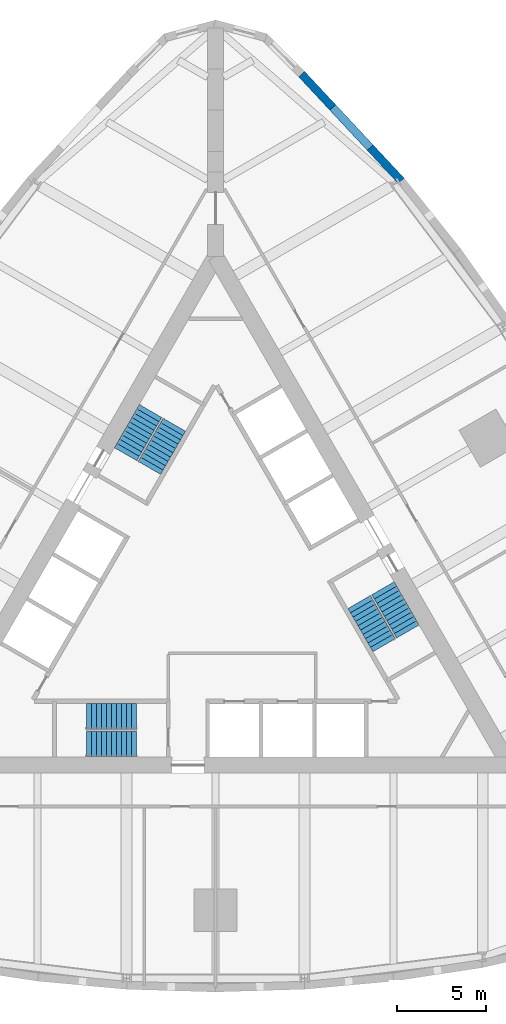
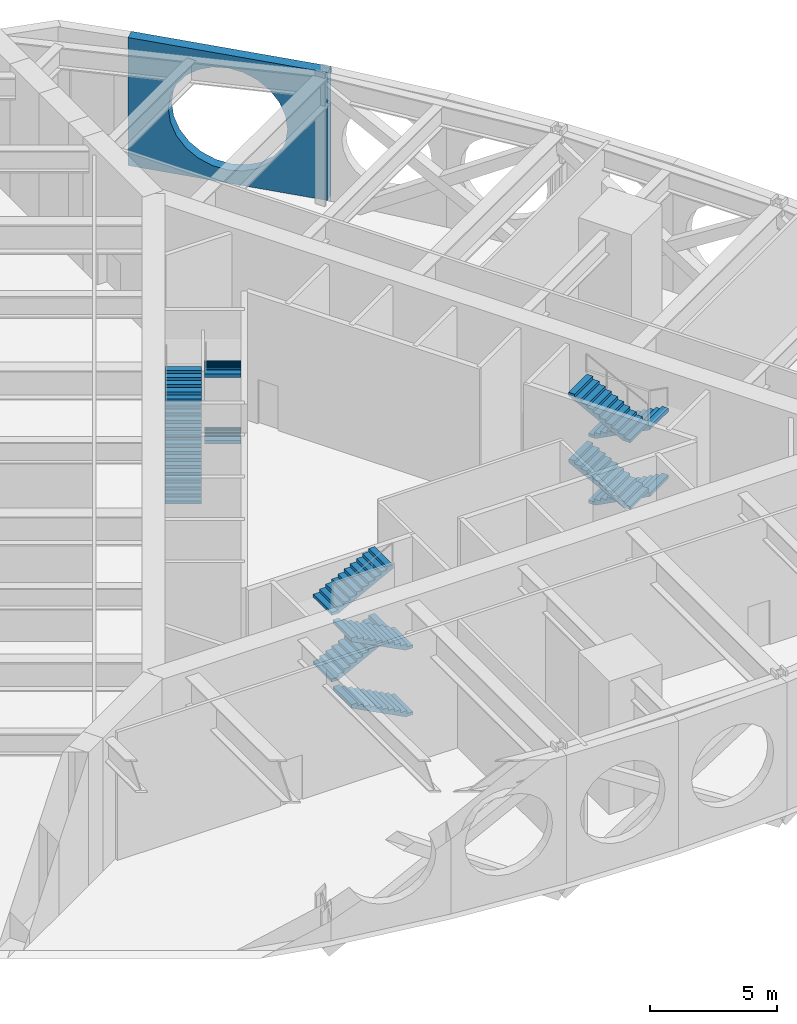
# One storey, part 6 of 7: 12 stair flights, 1 wall, 3 elements without a shape of their own.
"""IFC4 building model written with IfcOpenShell, lengths in metres."""

from ifc_helpers import new_model, si_unit, direction, frame, origin, place, context, subcontext, project, spatial, polyline, outline, extrude, material, layer, layer_set, type_object, element, aggregate, save


model = new_model("IFC4")

# Units and contexts
model_context = context("Model", 3, precision=1e-05, world=origin(), true_north=direction((0.0, 1.0)))
body_context = subcontext(model_context, "Body", "Model", "MODEL_VIEW")
ifc_project = project(units=[si_unit("LENGTHUNIT", "METRE"), si_unit("AREAUNIT", "SQUARE_METRE"), si_unit("VOLUMEUNIT", "CUBIC_METRE"), si_unit("PLANEANGLEUNIT", "RADIAN"), si_unit("MASSUNIT", "GRAM", prefix="KILO")], contexts=[model_context])

# Site, building, storey
site_placement = place(None, origin())
site = spatial("IfcSite", under=ifc_project, at=site_placement, CompositionType="ELEMENT")
building_placement = place(site_placement, origin())
building = spatial("IfcBuilding", under=site, at=building_placement, Name="Trikona Tower", CompositionType="ELEMENT")
storey_placement = place(building_placement, frame((0.0, 0.0, 103.300048828125)))
storey = spatial("IfcBuildingStorey", under=building, at=storey_placement, Name="L27", CompositionType="ELEMENT", Elevation=103.300048828125)

# Wall
ifc_material_1 = material(Name="Brick-faced precast concrete with louvred openings", Category="masonry")
ifc_layer = layer(ifc_material_1, 0.449951171875)
ifc_layer_set = layer_set([ifc_layer], Name="Brick-faced plant wall 450")
wall_type = type_object("IfcWallType", Name="Brick-faced plant wall 450", PredefinedType="SOLIDWALL", material=ifc_layer_set)
wall_placement = place(storey_placement, frame((10.43798828125, 23.288330078125, 0.0), z_axis=(0.0, 0.0, 1.0), x_axis=(-0.682290707137, 0.73108097428, 0.0)))
element("IfcWall", 1, at=wall_placement, inside=storey, type_object=wall_type, Name="External wall L27-19", PredefinedType="SOLIDWALL", context=body_context, shape_type="SweptSolid", body=[
    extrude(outline(polyline([(0.0, 0.0), (8.21142578125, 0.0), (8.21142578125, 6.14990234375), (0.0, 6.14990234375), (0.0, 0.0)]), holes=[polyline([(6.5556640625, 3.074951171875), (6.47216796875, 3.708984375), (6.227294921875, 4.300048828125), (5.837890625, 4.807373046875), (5.33056640625, 5.19677734375), (4.73974609375, 5.44140625), (4.105712890625, 5.52490234375), (3.471435546875, 5.44140625), (2.880615234375, 5.19677734375), (2.373291015625, 4.807373046875), (1.98388671875, 4.300048828125), (1.739013671875, 3.708984375), (1.655517578125, 3.074951171875), (1.739013671875, 2.44091796875), (1.98388671875, 1.849853515625), (2.373291015625, 1.342529296875), (2.880615234375, 0.953125), (3.471435546875, 0.70849609375), (4.105712890625, 0.625), (4.73974609375, 0.70849609375), (5.33056640625, 0.953125), (5.837890625, 1.342529296875), (6.227294921875, 1.849853515625), (6.47216796875, 2.44091796875), (6.5556640625, 3.074951171875)])]), frame((0.0, 0.22509765625, 0.0), z_axis=(0.0, -1.0, 0.0), x_axis=(1.0, 0.0, 0.0)), (0.0, 0.0, 1.0), 0.449951171875),
])

# Stair, stair flights
ifc_material_2 = material(Name="Concrete f'c 5000 psi", Category="concrete")
stair_type = type_object("IfcStairType", Name="Core stair", PredefinedType="HALF_TURN_STAIR", material=ifc_material_2)
stair_1_placement = place(storey_placement, origin())
stair_1 = element("IfcStair", 2, at=stair_1_placement, inside=storey, type_object=stair_type, Name="Stair A L27", PredefinedType="HALF_TURN_STAIR")
ifc_material_3 = material(Name="Concrete f'c 5000 psi", Category="concrete")
stair_flight_type = type_object("IfcStairFlightType", Name="Core stair flight 1450", PredefinedType="STRAIGHT", material=ifc_material_3)
stair_flight_1_placement = place(storey_placement, frame((-4.449951171875, -8.351318359375, 0.0), z_axis=(0.0, 0.0, 1.0), x_axis=(-1.0, 0.0, 0.0)))
stair_flight_1 = element("IfcStairFlight", 3, at=stair_flight_1_placement, type_object=stair_flight_type, Name="ST-A flight 1", NumberOfRisers=11, NumberOfTreads=10, PredefinedType="STRAIGHT", RiserHeight=0.145455, TreadLength=0.28, context=body_context, shape_type="SweptSolid", body=[
    extrude(outline(polyline([(0.0, 0.0), (0.0, 0.1455078125), (0.280029296875, 0.1455078125), (0.280029296875, 0.291015625), (0.56005859375, 0.291015625), (0.56005859375, 0.436279296875), (0.840087890625, 0.436279296875), (0.840087890625, 0.581787109375), (1.1201171875, 0.581787109375), (1.1201171875, 0.727294921875), (1.39990234375, 0.727294921875), (1.39990234375, 0.872802734375), (1.679931640625, 0.872802734375), (1.679931640625, 1.01806640625), (1.9599609375, 1.01806640625), (1.9599609375, 1.16357421875), (2.239990234375, 1.16357421875), (2.239990234375, 1.30908203125), (2.52001953125, 1.30908203125), (2.52001953125, 1.45458984375), (2.800048828125, 1.45458984375), (2.800048828125, 1.60009765625), (2.800048828125, 1.28564453125), (0.3251953125, 0.0), (0.0, 0.0)])), frame((0.0, 0.72509765625, 0.0), z_axis=(0.0, -1.0, 0.0), x_axis=(1.0, 0.0, 0.0)), (0.0, 0.0, 1.0), 1.449951171875),
])
stair_flight_2_placement = place(storey_placement, frame((-7.25, -6.80126953125, 1.599853515625), z_axis=(0.0, 0.0, 1.0), x_axis=(1.0, 0.0, 0.0)))
stair_flight_2 = element("IfcStairFlight", 4, at=stair_flight_2_placement, type_object=stair_flight_type, Name="ST-A flight 2", NumberOfRisers=11, NumberOfTreads=10, PredefinedType="STRAIGHT", RiserHeight=0.145455, TreadLength=0.28, context=body_context, shape_type="SweptSolid", body=[
    extrude(outline(polyline([(0.0, 0.0), (0.0, 0.1455078125), (0.280029296875, 0.1455078125), (0.280029296875, 0.291015625), (0.56005859375, 0.291015625), (0.56005859375, 0.436279296875), (0.840087890625, 0.436279296875), (0.840087890625, 0.581787109375), (1.1201171875, 0.581787109375), (1.1201171875, 0.727294921875), (1.39990234375, 0.727294921875), (1.39990234375, 0.872802734375), (1.679931640625, 0.872802734375), (1.679931640625, 1.01806640625), (1.9599609375, 1.01806640625), (1.9599609375, 1.16357421875), (2.239990234375, 1.16357421875), (2.239990234375, 1.30908203125), (2.52001953125, 1.30908203125), (2.52001953125, 1.45458984375), (2.800048828125, 1.45458984375), (2.800048828125, 1.60009765625), (2.800048828125, 1.28564453125), (0.3251953125, 0.0), (0.0, 0.0)])), frame((0.0, 0.72509765625, 0.0), z_axis=(0.0, -1.0, 0.0), x_axis=(1.0, 0.0, 0.0)), (0.0, 0.0, 1.0), 1.449951171875),
])
stair_flight_3_placement = place(storey_placement, frame((-4.449951171875, -8.351318359375, 3.199951171875), z_axis=(0.0, 0.0, 1.0), x_axis=(-1.0, 0.0, 0.0)))
stair_flight_3 = element("IfcStairFlight", 5, at=stair_flight_3_placement, type_object=stair_flight_type, Name="ST-A flight 3", NumberOfRisers=11, NumberOfTreads=10, PredefinedType="STRAIGHT", RiserHeight=0.145455, TreadLength=0.28, context=body_context, shape_type="SweptSolid", body=[
    extrude(outline(polyline([(0.0, 0.0), (0.0, 0.1455078125), (0.280029296875, 0.1455078125), (0.280029296875, 0.291015625), (0.56005859375, 0.291015625), (0.56005859375, 0.436279296875), (0.840087890625, 0.436279296875), (0.840087890625, 0.581787109375), (1.1201171875, 0.581787109375), (1.1201171875, 0.727294921875), (1.39990234375, 0.727294921875), (1.39990234375, 0.872802734375), (1.679931640625, 0.872802734375), (1.679931640625, 1.01806640625), (1.9599609375, 1.01806640625), (1.9599609375, 1.16357421875), (2.239990234375, 1.16357421875), (2.239990234375, 1.30908203125), (2.52001953125, 1.30908203125), (2.52001953125, 1.45458984375), (2.800048828125, 1.45458984375), (2.800048828125, 1.60009765625), (2.800048828125, 1.28564453125), (0.3251953125, 0.0), (0.0, 0.0)])), frame((0.0, 0.72509765625, 0.0), z_axis=(0.0, -1.0, 0.0), x_axis=(1.0, 0.0, 0.0)), (0.0, 0.0, 1.0), 1.449951171875),
])
stair_flight_4_placement = place(storey_placement, frame((-7.25, -6.80126953125, 4.800048828125), z_axis=(0.0, 0.0, 1.0), x_axis=(1.0, 0.0, 0.0)))
stair_flight_4 = element("IfcStairFlight", 6, at=stair_flight_4_placement, type_object=stair_flight_type, Name="ST-A flight 4", NumberOfRisers=11, NumberOfTreads=10, PredefinedType="STRAIGHT", RiserHeight=0.145455, TreadLength=0.28, context=body_context, shape_type="SweptSolid", body=[
    extrude(outline(polyline([(0.0, 0.0), (0.0, 0.1455078125), (0.280029296875, 0.1455078125), (0.280029296875, 0.291015625), (0.56005859375, 0.291015625), (0.56005859375, 0.436279296875), (0.840087890625, 0.436279296875), (0.840087890625, 0.581787109375), (1.1201171875, 0.581787109375), (1.1201171875, 0.727294921875), (1.39990234375, 0.727294921875), (1.39990234375, 0.872802734375), (1.679931640625, 0.872802734375), (1.679931640625, 1.01806640625), (1.9599609375, 1.01806640625), (1.9599609375, 1.16357421875), (2.239990234375, 1.16357421875), (2.239990234375, 1.30908203125), (2.52001953125, 1.30908203125), (2.52001953125, 1.45458984375), (2.800048828125, 1.45458984375), (2.800048828125, 1.60009765625), (2.800048828125, 1.28564453125), (0.3251953125, 0.0), (0.0, 0.0)])), frame((0.0, 0.72509765625, 0.0), z_axis=(0.0, -1.0, 0.0), x_axis=(1.0, 0.0, 0.0)), (0.0, 0.0, 1.0), 1.449951171875),
])
aggregate(stair_1, [stair_flight_1, stair_flight_2, stair_flight_3, stair_flight_4])

stair_2_placement = place(storey_placement, origin())
stair_2 = element("IfcStair", 7, at=stair_2_placement, inside=storey, type_object=stair_type, Name="Stair B L27", PredefinedType="HALF_TURN_STAIR")
stair_flight_5_placement = place(storey_placement, frame((9.407470703125, 0.408447265625, 0.0), z_axis=(0.0, 0.0, 1.0), x_axis=(0.5, -0.866025403784, 0.0)))
stair_flight_5 = element("IfcStairFlight", 8, at=stair_flight_5_placement, type_object=stair_flight_type, Name="ST-B flight 1", NumberOfRisers=11, NumberOfTreads=10, PredefinedType="STRAIGHT", RiserHeight=0.145455, TreadLength=0.28, context=body_context, shape_type="SweptSolid", body=[
    extrude(outline(polyline([(0.0, 0.0), (0.0, 0.1455078125), (0.280029296875, 0.1455078125), (0.280029296875, 0.291015625), (0.56005859375, 0.291015625), (0.56005859375, 0.436279296875), (0.840087890625, 0.436279296875), (0.840087890625, 0.581787109375), (1.1201171875, 0.581787109375), (1.1201171875, 0.727294921875), (1.39990234375, 0.727294921875), (1.39990234375, 0.872802734375), (1.679931640625, 0.872802734375), (1.679931640625, 1.01806640625), (1.9599609375, 1.01806640625), (1.9599609375, 1.16357421875), (2.239990234375, 1.16357421875), (2.239990234375, 1.30908203125), (2.52001953125, 1.30908203125), (2.52001953125, 1.45458984375), (2.800048828125, 1.45458984375), (2.800048828125, 1.60009765625), (2.800048828125, 1.28564453125), (0.3251953125, 0.0), (0.0, 0.0)])), frame((0.0, 0.72509765625, 0.0), z_axis=(0.0, -1.0, 0.0), x_axis=(1.0, 0.0, 0.0)), (0.0, 0.0, 1.0), 1.449951171875),
])
stair_flight_6_placement = place(storey_placement, frame((9.465087890625, -2.79150390625, 1.599853515625), z_axis=(0.0, 0.0, 1.0), x_axis=(-0.5, 0.866025403784, 0.0)))
stair_flight_6 = element("IfcStairFlight", 9, at=stair_flight_6_placement, type_object=stair_flight_type, Name="ST-B flight 2", NumberOfRisers=11, NumberOfTreads=10, PredefinedType="STRAIGHT", RiserHeight=0.145455, TreadLength=0.28, context=body_context, shape_type="SweptSolid", body=[
    extrude(outline(polyline([(0.0, 0.0), (0.0, 0.1455078125), (0.280029296875, 0.1455078125), (0.280029296875, 0.291015625), (0.56005859375, 0.291015625), (0.56005859375, 0.436279296875), (0.840087890625, 0.436279296875), (0.840087890625, 0.581787109375), (1.1201171875, 0.581787109375), (1.1201171875, 0.727294921875), (1.39990234375, 0.727294921875), (1.39990234375, 0.872802734375), (1.679931640625, 0.872802734375), (1.679931640625, 1.01806640625), (1.9599609375, 1.01806640625), (1.9599609375, 1.16357421875), (2.239990234375, 1.16357421875), (2.239990234375, 1.30908203125), (2.52001953125, 1.30908203125), (2.52001953125, 1.45458984375), (2.800048828125, 1.45458984375), (2.800048828125, 1.60009765625), (2.800048828125, 1.28564453125), (0.3251953125, 0.0), (0.0, 0.0)])), frame((0.0, 0.72509765625, 0.0), z_axis=(0.0, -1.0, 0.0), x_axis=(1.0, 0.0, 0.0)), (0.0, 0.0, 1.0), 1.449951171875),
])
stair_flight_7_placement = place(storey_placement, frame((9.407470703125, 0.408447265625, 3.199951171875), z_axis=(0.0, 0.0, 1.0), x_axis=(0.5, -0.866025403784, 0.0)))
stair_flight_7 = element("IfcStairFlight", 10, at=stair_flight_7_placement, type_object=stair_flight_type, Name="ST-B flight 3", NumberOfRisers=11, NumberOfTreads=10, PredefinedType="STRAIGHT", RiserHeight=0.145455, TreadLength=0.28, context=body_context, shape_type="SweptSolid", body=[
    extrude(outline(polyline([(0.0, 0.0), (0.0, 0.1455078125), (0.280029296875, 0.1455078125), (0.280029296875, 0.291015625), (0.56005859375, 0.291015625), (0.56005859375, 0.436279296875), (0.840087890625, 0.436279296875), (0.840087890625, 0.581787109375), (1.1201171875, 0.581787109375), (1.1201171875, 0.727294921875), (1.39990234375, 0.727294921875), (1.39990234375, 0.872802734375), (1.679931640625, 0.872802734375), (1.679931640625, 1.01806640625), (1.9599609375, 1.01806640625), (1.9599609375, 1.16357421875), (2.239990234375, 1.16357421875), (2.239990234375, 1.30908203125), (2.52001953125, 1.30908203125), (2.52001953125, 1.45458984375), (2.800048828125, 1.45458984375), (2.800048828125, 1.60009765625), (2.800048828125, 1.28564453125), (0.3251953125, 0.0), (0.0, 0.0)])), frame((0.0, 0.72509765625, 0.0), z_axis=(0.0, -1.0, 0.0), x_axis=(1.0, 0.0, 0.0)), (0.0, 0.0, 1.0), 1.449951171875),
])
stair_flight_8_placement = place(storey_placement, frame((9.465087890625, -2.79150390625, 4.800048828125), z_axis=(0.0, 0.0, 1.0), x_axis=(-0.5, 0.866025403784, 0.0)))
stair_flight_8 = element("IfcStairFlight", 11, at=stair_flight_8_placement, type_object=stair_flight_type, Name="ST-B flight 4", NumberOfRisers=11, NumberOfTreads=10, PredefinedType="STRAIGHT", RiserHeight=0.145455, TreadLength=0.28, context=body_context, shape_type="SweptSolid", body=[
    extrude(outline(polyline([(0.0, 0.0), (0.0, 0.1455078125), (0.280029296875, 0.1455078125), (0.280029296875, 0.291015625), (0.56005859375, 0.291015625), (0.56005859375, 0.436279296875), (0.840087890625, 0.436279296875), (0.840087890625, 0.581787109375), (1.1201171875, 0.581787109375), (1.1201171875, 0.727294921875), (1.39990234375, 0.727294921875), (1.39990234375, 0.872802734375), (1.679931640625, 0.872802734375), (1.679931640625, 1.01806640625), (1.9599609375, 1.01806640625), (1.9599609375, 1.16357421875), (2.239990234375, 1.16357421875), (2.239990234375, 1.30908203125), (2.52001953125, 1.30908203125), (2.52001953125, 1.45458984375), (2.800048828125, 1.45458984375), (2.800048828125, 1.60009765625), (2.800048828125, 1.28564453125), (0.3251953125, 0.0), (0.0, 0.0)])), frame((0.0, 0.72509765625, 0.0), z_axis=(0.0, -1.0, 0.0), x_axis=(1.0, 0.0, 0.0)), (0.0, 0.0, 1.0), 1.449951171875),
])
aggregate(stair_2, [stair_flight_5, stair_flight_6, stair_flight_7, stair_flight_8])

stair_3_placement = place(storey_placement, origin())
stair_3 = element("IfcStair", 12, at=stair_3_placement, inside=storey, type_object=stair_type, Name="Stair C L27", PredefinedType="HALF_TURN_STAIR")
stair_flight_9_placement = place(storey_placement, frame((-5.057373046875, 7.94287109375, 0.0), z_axis=(0.0, 0.0, 1.0), x_axis=(0.5, 0.866025403784, 0.0)))
stair_flight_9 = element("IfcStairFlight", 13, at=stair_flight_9_placement, type_object=stair_flight_type, Name="ST-C flight 1", NumberOfRisers=11, NumberOfTreads=10, PredefinedType="STRAIGHT", RiserHeight=0.145455, TreadLength=0.28, context=body_context, shape_type="SweptSolid", body=[
    extrude(outline(polyline([(0.0, 0.0), (0.0, 0.1455078125), (0.280029296875, 0.1455078125), (0.280029296875, 0.291015625), (0.56005859375, 0.291015625), (0.56005859375, 0.436279296875), (0.840087890625, 0.436279296875), (0.840087890625, 0.581787109375), (1.1201171875, 0.581787109375), (1.1201171875, 0.727294921875), (1.39990234375, 0.727294921875), (1.39990234375, 0.872802734375), (1.679931640625, 0.872802734375), (1.679931640625, 1.01806640625), (1.9599609375, 1.01806640625), (1.9599609375, 1.16357421875), (2.239990234375, 1.16357421875), (2.239990234375, 1.30908203125), (2.52001953125, 1.30908203125), (2.52001953125, 1.45458984375), (2.800048828125, 1.45458984375), (2.800048828125, 1.60009765625), (2.800048828125, 1.28564453125), (0.3251953125, 0.0), (0.0, 0.0)])), frame((0.0, 0.72509765625, 0.0), z_axis=(0.0, -1.0, 0.0), x_axis=(1.0, 0.0, 0.0)), (0.0, 0.0, 1.0), 1.449951171875),
])
stair_flight_10_placement = place(storey_placement, frame((-2.315185546875, 9.5927734375, 1.599853515625), z_axis=(0.0, 0.0, 1.0), x_axis=(-0.5, -0.866025403784, 0.0)))
stair_flight_10 = element("IfcStairFlight", 14, at=stair_flight_10_placement, type_object=stair_flight_type, Name="ST-C flight 2", NumberOfRisers=11, NumberOfTreads=10, PredefinedType="STRAIGHT", RiserHeight=0.145455, TreadLength=0.28, context=body_context, shape_type="SweptSolid", body=[
    extrude(outline(polyline([(0.0, 0.0), (0.0, 0.1455078125), (0.280029296875, 0.1455078125), (0.280029296875, 0.291015625), (0.56005859375, 0.291015625), (0.56005859375, 0.436279296875), (0.840087890625, 0.436279296875), (0.840087890625, 0.581787109375), (1.1201171875, 0.581787109375), (1.1201171875, 0.727294921875), (1.39990234375, 0.727294921875), (1.39990234375, 0.872802734375), (1.679931640625, 0.872802734375), (1.679931640625, 1.01806640625), (1.9599609375, 1.01806640625), (1.9599609375, 1.16357421875), (2.239990234375, 1.16357421875), (2.239990234375, 1.30908203125), (2.52001953125, 1.30908203125), (2.52001953125, 1.45458984375), (2.800048828125, 1.45458984375), (2.800048828125, 1.60009765625), (2.800048828125, 1.28564453125), (0.3251953125, 0.0), (0.0, 0.0)])), frame((0.0, 0.72509765625, 0.0), z_axis=(0.0, -1.0, 0.0), x_axis=(1.0, 0.0, 0.0)), (0.0, 0.0, 1.0), 1.449951171875),
])
stair_flight_11_placement = place(storey_placement, frame((-5.057373046875, 7.94287109375, 3.199951171875), z_axis=(0.0, 0.0, 1.0), x_axis=(0.5, 0.866025403784, 0.0)))
stair_flight_11 = element("IfcStairFlight", 15, at=stair_flight_11_placement, type_object=stair_flight_type, Name="ST-C flight 3", NumberOfRisers=11, NumberOfTreads=10, PredefinedType="STRAIGHT", RiserHeight=0.145455, TreadLength=0.28, context=body_context, shape_type="SweptSolid", body=[
    extrude(outline(polyline([(0.0, 0.0), (0.0, 0.1455078125), (0.280029296875, 0.1455078125), (0.280029296875, 0.291015625), (0.56005859375, 0.291015625), (0.56005859375, 0.436279296875), (0.840087890625, 0.436279296875), (0.840087890625, 0.581787109375), (1.1201171875, 0.581787109375), (1.1201171875, 0.727294921875), (1.39990234375, 0.727294921875), (1.39990234375, 0.872802734375), (1.679931640625, 0.872802734375), (1.679931640625, 1.01806640625), (1.9599609375, 1.01806640625), (1.9599609375, 1.16357421875), (2.239990234375, 1.16357421875), (2.239990234375, 1.30908203125), (2.52001953125, 1.30908203125), (2.52001953125, 1.45458984375), (2.800048828125, 1.45458984375), (2.800048828125, 1.60009765625), (2.800048828125, 1.28564453125), (0.3251953125, 0.0), (0.0, 0.0)])), frame((0.0, 0.72509765625, 0.0), z_axis=(0.0, -1.0, 0.0), x_axis=(1.0, 0.0, 0.0)), (0.0, 0.0, 1.0), 1.449951171875),
])
stair_flight_12_placement = place(storey_placement, frame((-2.315185546875, 9.5927734375, 4.800048828125), z_axis=(0.0, 0.0, 1.0), x_axis=(-0.5, -0.866025403784, 0.0)))
stair_flight_12 = element("IfcStairFlight", 16, at=stair_flight_12_placement, type_object=stair_flight_type, Name="ST-C flight 4", NumberOfRisers=11, NumberOfTreads=10, PredefinedType="STRAIGHT", RiserHeight=0.145455, TreadLength=0.28, context=body_context, shape_type="SweptSolid", body=[
    extrude(outline(polyline([(0.0, 0.0), (0.0, 0.1455078125), (0.280029296875, 0.1455078125), (0.280029296875, 0.291015625), (0.56005859375, 0.291015625), (0.56005859375, 0.436279296875), (0.840087890625, 0.436279296875), (0.840087890625, 0.581787109375), (1.1201171875, 0.581787109375), (1.1201171875, 0.727294921875), (1.39990234375, 0.727294921875), (1.39990234375, 0.872802734375), (1.679931640625, 0.872802734375), (1.679931640625, 1.01806640625), (1.9599609375, 1.01806640625), (1.9599609375, 1.16357421875), (2.239990234375, 1.16357421875), (2.239990234375, 1.30908203125), (2.52001953125, 1.30908203125), (2.52001953125, 1.45458984375), (2.800048828125, 1.45458984375), (2.800048828125, 1.60009765625), (2.800048828125, 1.28564453125), (0.3251953125, 0.0), (0.0, 0.0)])), frame((0.0, 0.72509765625, 0.0), z_axis=(0.0, -1.0, 0.0), x_axis=(1.0, 0.0, 0.0)), (0.0, 0.0, 1.0), 1.449951171875),
])
aggregate(stair_3, [stair_flight_9, stair_flight_10, stair_flight_11, stair_flight_12])

save(model, "model.ifc")
